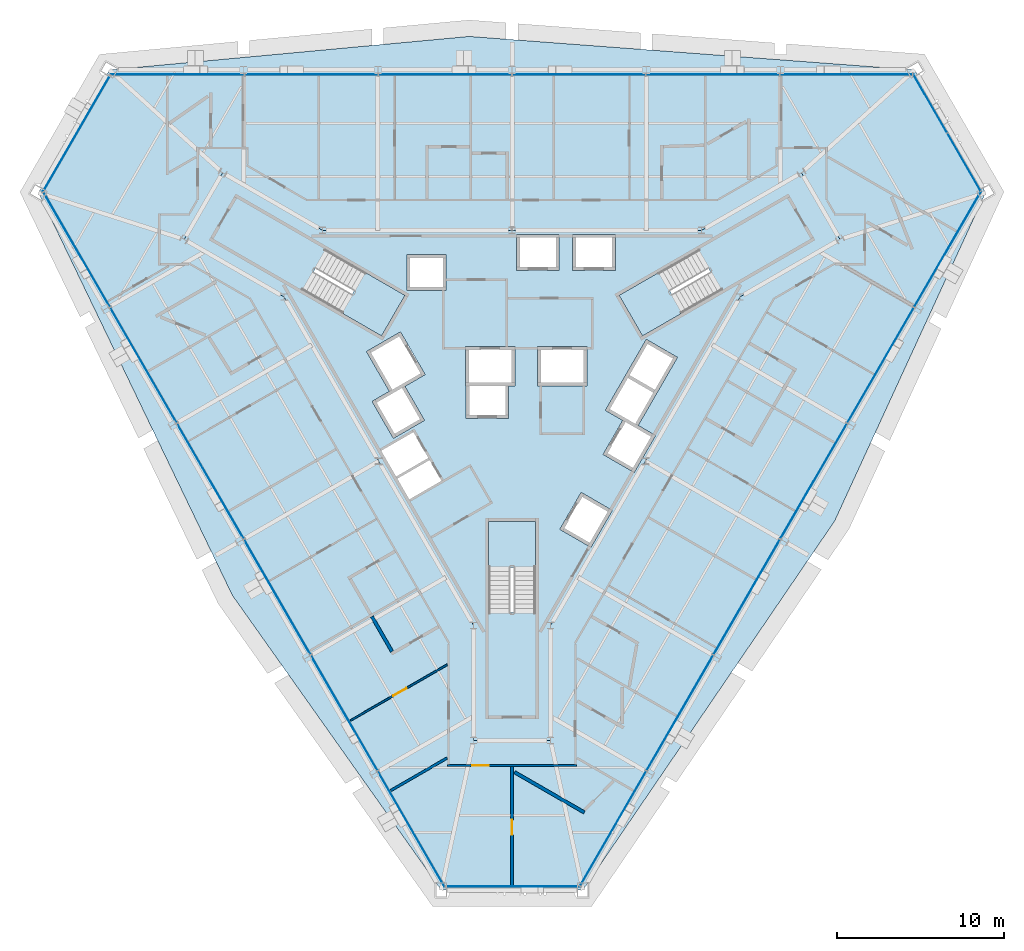
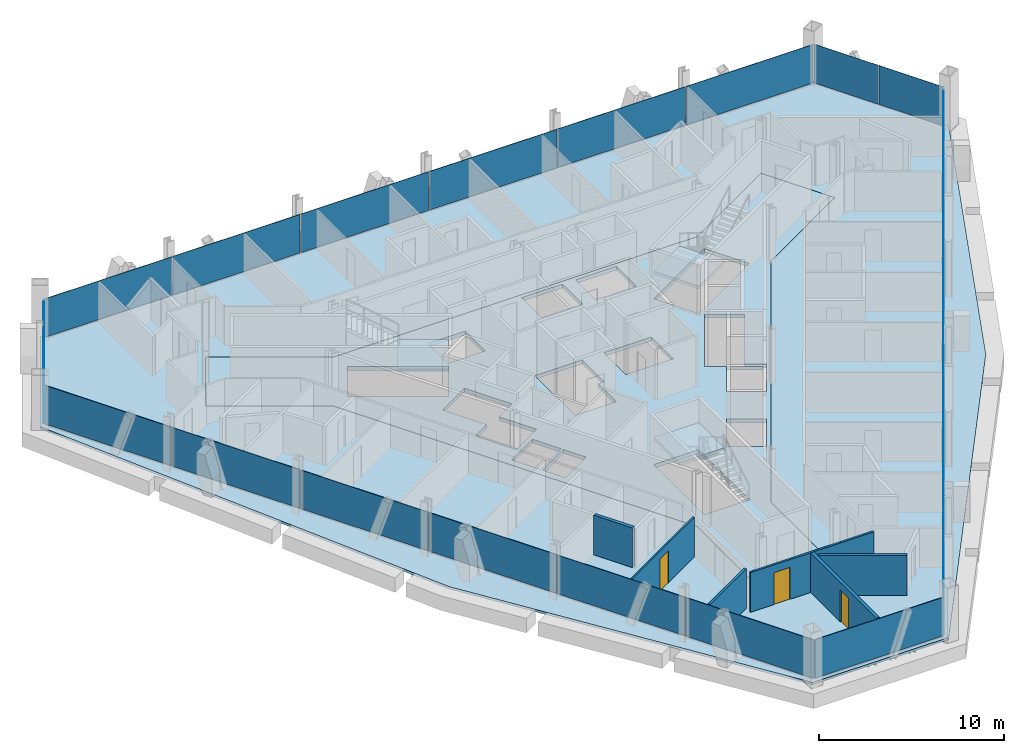
# One storey, part 9 of 16: 22 plates, 6 walls, 5 slabs, 3 doors, 3 openings, 9 elements without a shape of their own.
"""IFC4 building model written with IfcOpenShell, lengths in metres."""

from ifc_helpers import new_model, si_unit, direction, frame, frame_2d, origin, origin_2d, place, context, subcontext, project, spatial, polyline, rectangle, outline, extrude, material, layer, layer_set, type_object, element, fill, aggregate, save


model = new_model("IFC4")

# Units and contexts
model_context = context("Model", 3, precision=1e-05, world=origin(), true_north=direction((0.0, 1.0)))
body_context = subcontext(model_context, "Body", "Model", "MODEL_VIEW")
ifc_project = project(units=[si_unit("LENGTHUNIT", "METRE"), si_unit("AREAUNIT", "SQUARE_METRE"), si_unit("VOLUMEUNIT", "CUBIC_METRE"), si_unit("PLANEANGLEUNIT", "RADIAN"), si_unit("MASSUNIT", "GRAM", prefix="KILO")], contexts=[model_context])

# Site, building, storey
site_placement = place(None, origin())
site = spatial("IfcSite", under=ifc_project, at=site_placement, CompositionType="ELEMENT")
building_placement = place(site_placement, origin())
building = spatial("IfcBuilding", under=site, at=building_placement, Name="Verrane Prism Tower", CompositionType="ELEMENT")
storey_placement = place(building_placement, frame((0.0, 0.0, 107.199951171875)))
storey = spatial("IfcBuildingStorey", under=building, at=storey_placement, Name="L25", CompositionType="ELEMENT", Elevation=107.199951171875)

# Slabs
ifc_material_1 = material(Name="Concrete C35/45", Category="concrete")
ifc_layer_1 = layer(ifc_material_1, 0.159912109375)
ifc_layer_set_1 = layer_set([ifc_layer_1], Name="Composite floor slab")
slab_type_1 = type_object("IfcSlabType", Name="Composite floor slab", PredefinedType="FLOOR", material=ifc_layer_set_1)
slab_1_placement = place(storey_placement, frame((0.0, 0.0, -0.159912109375)))
element("IfcSlab", 1, at=slab_1_placement, inside=storey, type_object=slab_type_1, Name="Floor slab L25", PredefinedType="FLOOR", context=body_context, shape_type="SweptSolid", body=[
    extrude(outline(polyline([(19.288330078125, -8.171875), (4.239013671875, -30.23779296875), (-4.239013671875, -30.23779296875), (-16.72119140625, -12.6181640625), (-28.30615234375, 11.44775390625), (-24.067138671875, 18.7900390625), (-2.567138671875, 20.7900390625), (24.067138671875, 18.7900390625), (28.30615234375, 11.44775390625), (19.288330078125, -8.171875)]), holes=[polyline([(19.60009765625, 8.659912109375), (17.300048828125, 12.639892578125), (11.330078125, 9.199951171875), (0.0, 9.199951171875), (-11.330078125, 9.199951171875), (-17.300048828125, 12.639892578125), (-19.60009765625, 8.659912109375), (-13.6298828125, 5.219970703125), (-7.969970703125, -4.60009765625), (-2.300048828125, -14.419921875), (-2.300048828125, -21.300048828125), (2.300048828125, -21.300048828125), (2.300048828125, -14.419921875), (7.969970703125, -4.60009765625), (13.6298828125, 5.219970703125), (19.60009765625, 8.659912109375)])]), origin(), (0.0, 0.0, 1.0), 0.159912109375),
])
ifc_material_2 = material(Name="Concrete C40/50", Category="concrete")
ifc_layer_2 = layer(ifc_material_2, 0.25)
ifc_layer_set_2 = layer_set([ifc_layer_2], Name="Core floor slab 250 concrete C40/50")
slab_type_2 = type_object("IfcSlabType", Name="Core floor slab 250 concrete C40/50", PredefinedType="FLOOR", material=ifc_layer_set_2)
slab_2_placement = place(storey_placement, frame((0.0, 0.0, -0.25)))
element("IfcSlab", 2, at=slab_2_placement, inside=storey, type_object=slab_type_2, Name="Core floor L25", PredefinedType="FLOOR", context=body_context, shape_type="SweptSolid", body=[
    extrude(outline(polyline([(13.6298828125, 5.219970703125), (19.60009765625, 8.659912109375), (17.300048828125, 12.639892578125), (11.330078125, 9.199951171875), (0.0, 9.199951171875), (-11.330078125, 9.199951171875), (-17.300048828125, 12.639892578125), (-19.60009765625, 8.659912109375), (-13.6298828125, 5.219970703125), (-7.969970703125, -4.60009765625), (-2.300048828125, -14.419921875), (-2.300048828125, -21.300048828125), (2.300048828125, -21.300048828125), (2.300048828125, -14.419921875), (7.969970703125, -4.60009765625), (13.6298828125, 5.219970703125)]), holes=[polyline([(1.39990234375, -8.199951171875), (1.39990234375, -13.639892578125), (-1.39990234375, -13.639892578125), (-1.39990234375, -8.199951171875), (1.39990234375, -8.199951171875)]), polyline([(-4.215087890625, -5.77099609375), (-6.14208984375, -6.883056640625), (-6.85400390625, -5.64599609375), (-4.928955078125, -4.533935546875), (-4.215087890625, -5.77099609375)]), polyline([(-5.0029296875, -4.404052734375), (-6.929931640625, -5.51708984375), (-7.819091796875, -3.97705078125), (-5.89306640625, -2.864013671875), (-5.0029296875, -4.404052734375)]), polyline([(0.1650390625, 2.25), (0.1650390625, -0.10009765625), (-0.205078125, -0.10009765625), (-0.205078125, -2.050048828125), (-2.7548828125, -2.050048828125), (-2.7548828125, -0.10009765625), (-2.784912109375, -0.10009765625), (-2.784912109375, 2.25), (0.1650390625, 2.25)]), polyline([(-12.512939453125, 5.60791015625), (-11.113037109375, 8.031982421875), (-6.40087890625, 5.31201171875), (-7.801025390625, 2.887939453125), (-12.512939453125, 5.60791015625)]), polyline([(-6.284912109375, 5.610107421875), (-6.284912109375, 7.760009765625), (-3.93505859375, 7.760009765625), (-3.93505859375, 5.610107421875), (-6.284912109375, 5.610107421875)]), polyline([(4.717041015625, -9.75), (2.85498046875, -8.675048828125), (4.1298828125, -6.466064453125), (5.991943359375, -7.541015625), (4.717041015625, -9.75)]), polyline([(8.303955078125, -3.136962890625), (5.575927734375, -1.56201171875), (8.02587890625, 2.680908203125), (9.887939453125, 1.60595703125), (7.5380859375, -2.464111328125), (8.576904296875, -3.06396484375), (7.302001953125, -5.27197265625), (5.43994140625, -4.197021484375), (6.614990234375, -2.162109375), (8.303955078125, -3.136962890625)]), polyline([(1.52490234375, -0.10009765625), (1.52490234375, 2.25), (4.47509765625, 2.25), (4.47509765625, -0.10009765625), (1.52490234375, -0.10009765625)]), polyline([(6.40087890625, 5.31201171875), (11.113037109375, 8.031982421875), (12.512939453125, 5.60791015625), (7.801025390625, 2.887939453125), (6.40087890625, 5.31201171875)]), polyline([(0.264892578125, 6.81005859375), (0.264892578125, 8.9599609375), (2.81494140625, 8.9599609375), (2.81494140625, 6.81005859375), (0.264892578125, 6.81005859375)]), polyline([(3.625, 6.81005859375), (3.625, 8.9599609375), (6.175048828125, 8.9599609375), (6.175048828125, 6.81005859375), (3.625, 6.81005859375)]), polyline([(-5.23095703125, -2.159912109375), (-7.093017578125, -3.235107421875), (-8.367919921875, -1.02587890625), (-7.3291015625, -0.426025390625), (-8.7041015625, 1.955078125), (-6.66796875, 3.1298828125), (-5.193115234375, 0.574951171875), (-6.406005859375, -0.125), (-5.23095703125, -2.159912109375)])]), origin(), (0.0, 0.0, 1.0), 0.25),
])

# Curtain wall, plates
ifc_material_3 = material(Name="Aluminium framed insulated glazing", Category="aluminium")
curtain_wall_type_1 = type_object("IfcCurtainWallType", Name="Curtain wall CW-C 4200 module", PredefinedType="NOTDEFINED", material=ifc_material_3)
curtain_wall_1_placement = place(storey_placement, origin())
curtain_wall_1 = element("IfcCurtainWall", 3, at=curtain_wall_1_placement, inside=storey, type_object=curtain_wall_type_1, Name="Glazed curtain wall north-east corner L25", PredefinedType="NOTDEFINED")
ifc_material_4 = material(Name="Low-iron insulating glass unit", Category="glass")
ifc_layer_3 = layer(ifc_material_4, 0.02392578125)
ifc_layer_set_3 = layer_set([ifc_layer_3], Name="Glazing panel IGU 24")
plate_type_1 = type_object("IfcPlateType", Name="Glazing panel IGU 24", PredefinedType="CURTAIN_PANEL", material=ifc_layer_set_3)
plate_1_placement = place(storey_placement, frame((27.01318359375, 13.281494140625, 0.050048828125), z_axis=(0.0, 0.0, 1.0), x_axis=(-0.499995693021, 0.866027890405, 0.0)))
plate_1 = element("IfcPlate", 4, at=plate_1_placement, type_object=plate_type_1, Name="CW24.1 panel 1", PredefinedType="CURTAIN_PANEL", context=body_context, shape_type="SweptSolid", body=[
    extrude(rectangle(XDim=3.958984375, YDim=0.02392578125, at=origin_2d()), origin(), (0.0, 0.0, 1.0), 2.56298828125),
])
plate_2_placement = place(storey_placement, frame((24.996337890625, 16.775146484375, 0.050048828125), z_axis=(0.0, 0.0, 1.0), x_axis=(-0.499995693021, 0.866027890405, 0.0)))
plate_2 = element("IfcPlate", 5, at=plate_2_placement, type_object=plate_type_1, Name="CW24.1 panel 2", PredefinedType="CURTAIN_PANEL", context=body_context, shape_type="SweptSolid", body=[
    extrude(rectangle(XDim=4.009033203125, YDim=0.02392578125, at=origin_2d()), origin(), (0.0, 0.0, 1.0), 2.56298828125),
])
aggregate(curtain_wall_1, [plate_1, plate_2])

ifc_material_5 = material(Name="Aluminium framed insulated glazing", Category="aluminium")
curtain_wall_type_2 = type_object("IfcCurtainWallType", Name="Curtain wall CW-A 8400 module", PredefinedType="NOTDEFINED", material=ifc_material_5)
curtain_wall_2_placement = place(storey_placement, origin())
curtain_wall_2 = element("IfcCurtainWall", 6, at=curtain_wall_2_placement, inside=storey, type_object=curtain_wall_type_2, Name="Glazed curtain wall north face L25", PredefinedType="NOTDEFINED")
ifc_material_6 = material(Name="Low-iron insulating glass unit", Category="glass")
ifc_layer_4 = layer(ifc_material_6, 0.031982421875)
ifc_layer_set_4 = layer_set([ifc_layer_4], Name="Glazing panel IGU 32")
plate_type_2 = type_object("IfcPlateType", Name="Glazing panel IGU 32", PredefinedType="CURTAIN_PANEL", material=ifc_layer_set_4)
plate_3_placement = place(storey_placement, frame((19.9775390625, 18.510986328125, 0.070068359375), z_axis=(0.0, 0.0, 1.0), x_axis=(-1.0, 0.0, 0.0)))
plate_3 = element("IfcPlate", 7, at=plate_3_placement, type_object=plate_type_2, Name="CW24.2 panel 1", PredefinedType="CURTAIN_PANEL", context=body_context, shape_type="SweptSolid", body=[
    extrude(rectangle(XDim=7.89306640625, YDim=0.031982421875, at=origin_2d()), origin(), (0.0, 0.0, 1.0), 2.54296875),
])
plate_4_placement = place(storey_placement, frame((11.9970703125, 18.510986328125, 0.070068359375), z_axis=(0.0, 0.0, 1.0), x_axis=(-1.0, 0.0, 0.0)))
plate_4 = element("IfcPlate", 8, at=plate_4_placement, type_object=plate_type_2, Name="CW24.2 panel 2", PredefinedType="CURTAIN_PANEL", context=body_context, shape_type="SweptSolid", body=[
    extrude(rectangle(XDim=7.927978515625, YDim=0.031982421875, at=origin_2d()), origin(), (0.0, 0.0, 1.0), 2.54296875),
])
plate_5_placement = place(storey_placement, frame((3.9990234375, 18.510986328125, 0.070068359375), z_axis=(0.0, 0.0, 1.0), x_axis=(-1.0, 0.0, 0.0)))
plate_5 = element("IfcPlate", 9, at=plate_5_placement, type_object=plate_type_2, Name="CW24.2 panel 3", PredefinedType="CURTAIN_PANEL", context=body_context, shape_type="SweptSolid", body=[
    extrude(rectangle(XDim=7.927978515625, YDim=0.031982421875, at=origin_2d()), origin(), (0.0, 0.0, 1.0), 2.54296875),
])
plate_6_placement = place(storey_placement, frame((-3.9990234375, 18.510986328125, 0.070068359375), z_axis=(0.0, 0.0, 1.0), x_axis=(-1.0, 0.0, 0.0)))
plate_6 = element("IfcPlate", 10, at=plate_6_placement, type_object=plate_type_2, Name="CW24.2 panel 4", PredefinedType="CURTAIN_PANEL", context=body_context, shape_type="SweptSolid", body=[
    extrude(rectangle(XDim=7.927978515625, YDim=0.031982421875, at=origin_2d()), origin(), (0.0, 0.0, 1.0), 2.54296875),
])
plate_7_placement = place(storey_placement, frame((-11.9970703125, 18.510986328125, 0.070068359375), z_axis=(0.0, 0.0, 1.0), x_axis=(-1.0, 0.0, 0.0)))
plate_7 = element("IfcPlate", 11, at=plate_7_placement, type_object=plate_type_2, Name="CW24.2 panel 5", PredefinedType="CURTAIN_PANEL", context=body_context, shape_type="SweptSolid", body=[
    extrude(rectangle(XDim=7.927978515625, YDim=0.031982421875, at=origin_2d()), origin(), (0.0, 0.0, 1.0), 2.54296875),
])
plate_8_placement = place(storey_placement, frame((-20.0126953125, 18.510986328125, 0.070068359375), z_axis=(0.0, 0.0, 1.0), x_axis=(-1.0, 0.0, 0.0)))
plate_8 = element("IfcPlate", 12, at=plate_8_placement, type_object=plate_type_2, Name="CW24.2 panel 6", PredefinedType="CURTAIN_PANEL", context=body_context, shape_type="SweptSolid", body=[
    extrude(rectangle(XDim=7.963134765625, YDim=0.031982421875, at=origin_2d()), origin(), (0.0, 0.0, 1.0), 2.54296875),
])
aggregate(curtain_wall_2, [plate_3, plate_4, plate_5, plate_6, plate_7, plate_8])

# Curtain wall, plate
curtain_wall_3_placement = place(storey_placement, origin())
curtain_wall_3 = element("IfcCurtainWall", 13, at=curtain_wall_3_placement, inside=storey, type_object=curtain_wall_type_2, Name="Glazed curtain wall north-west corner L25", PredefinedType="NOTDEFINED")
plate_9_placement = place(storey_placement, frame((-26.028564453125, 14.9873046875, 0.070068359375), z_axis=(0.0, 0.0, 1.0), x_axis=(-0.499995693021, -0.866027890405, 0.0)))
plate_9 = element("IfcPlate", 14, at=plate_9_placement, type_object=plate_type_2, Name="CW24.3 panel 1", PredefinedType="CURTAIN_PANEL", context=body_context, shape_type="SweptSolid", body=[
    extrude(rectangle(XDim=7.997802734375, YDim=0.031982421875, at=origin_2d()), origin(), (0.0, 0.0, 1.0), 2.54296875),
])
aggregate(curtain_wall_3, [plate_9])

# Curtain wall, plates
curtain_wall_4_placement = place(storey_placement, origin())
curtain_wall_4 = element("IfcCurtainWall", 15, at=curtain_wall_4_placement, inside=storey, type_object=curtain_wall_type_2, Name="Glazed curtain wall south-west face L25", PredefinedType="NOTDEFINED")
plate_10_placement = place(storey_placement, frame((-26.019775390625, 8.045654296875, 0.070068359375), z_axis=(0.0, 0.0, 1.0), x_axis=(0.500000002539, -0.866025402318, 0.0)))
plate_10 = element("IfcPlate", 16, at=plate_10_placement, type_object=plate_type_2, Name="CW24.4 panel 1", PredefinedType="CURTAIN_PANEL", context=body_context, shape_type="SweptSolid", body=[
    extrude(rectangle(XDim=7.89306640625, YDim=0.031982421875, at=origin_2d()), origin(), (0.0, 0.0, 1.0), 2.54296875),
])
plate_11_placement = place(storey_placement, frame((-22.029541015625, 1.13427734375, 0.070068359375), z_axis=(0.0, 0.0, 1.0), x_axis=(0.500000002539, -0.866025402318, 0.0)))
plate_11 = element("IfcPlate", 17, at=plate_11_placement, type_object=plate_type_2, Name="CW24.4 panel 2", PredefinedType="CURTAIN_PANEL", context=body_context, shape_type="SweptSolid", body=[
    extrude(rectangle(XDim=7.927978515625, YDim=0.031982421875, at=origin_2d()), origin(), (0.0, 0.0, 1.0), 2.54296875),
])
plate_12_placement = place(storey_placement, frame((-18.030517578125, -5.792236328125, 0.070068359375), z_axis=(0.0, 0.0, 1.0), x_axis=(0.500000002539, -0.866025402318, 0.0)))
plate_12 = element("IfcPlate", 18, at=plate_12_placement, type_object=plate_type_2, Name="CW24.4 panel 3", PredefinedType="CURTAIN_PANEL", context=body_context, shape_type="SweptSolid", body=[
    extrude(rectangle(XDim=7.927978515625, YDim=0.031982421875, at=origin_2d()), origin(), (0.0, 0.0, 1.0), 2.54296875),
])
plate_13_placement = place(storey_placement, frame((-14.031494140625, -12.71875, 0.070068359375), z_axis=(0.0, 0.0, 1.0), x_axis=(0.500000002539, -0.866025402318, 0.0)))
plate_13 = element("IfcPlate", 19, at=plate_13_placement, type_object=plate_type_2, Name="CW24.4 panel 4", PredefinedType="CURTAIN_PANEL", context=body_context, shape_type="SweptSolid", body=[
    extrude(rectangle(XDim=7.927978515625, YDim=0.031982421875, at=origin_2d()), origin(), (0.0, 0.0, 1.0), 2.54296875),
])
plate_14_placement = place(storey_placement, frame((-10.032470703125, -19.645263671875, 0.070068359375), z_axis=(0.0, 0.0, 1.0), x_axis=(0.500000002539, -0.866025402318, 0.0)))
plate_14 = element("IfcPlate", 20, at=plate_14_placement, type_object=plate_type_2, Name="CW24.4 panel 5", PredefinedType="CURTAIN_PANEL", context=body_context, shape_type="SweptSolid", body=[
    extrude(rectangle(XDim=7.927978515625, YDim=0.031982421875, at=origin_2d()), origin(), (0.0, 0.0, 1.0), 2.54296875),
])
plate_15_placement = place(storey_placement, frame((-6.024658203125, -26.5869140625, 0.070068359375), z_axis=(0.0, 0.0, 1.0), x_axis=(0.500000002539, -0.866025402318, 0.0)))
plate_15 = element("IfcPlate", 21, at=plate_15_placement, type_object=plate_type_2, Name="CW24.4 panel 6", PredefinedType="CURTAIN_PANEL", context=body_context, shape_type="SweptSolid", body=[
    extrude(rectangle(XDim=7.963134765625, YDim=0.031982421875, at=origin_2d()), origin(), (0.0, 0.0, 1.0), 2.54296875),
])
aggregate(curtain_wall_4, [plate_10, plate_11, plate_12, plate_13, plate_14, plate_15])

# Curtain wall, plate
curtain_wall_5_placement = place(storey_placement, origin())
curtain_wall_5 = element("IfcCurtainWall", 22, at=curtain_wall_5_placement, inside=storey, type_object=curtain_wall_type_2, Name="Glazed curtain wall south corner L25", PredefinedType="NOTDEFINED")
plate_16_placement = place(storey_placement, frame((0.034912109375, -30.034912109375, 0.070068359375), z_axis=(0.0, 0.0, 1.0), x_axis=(1.0, 0.0, 0.0)))
plate_16 = element("IfcPlate", 23, at=plate_16_placement, type_object=plate_type_2, Name="CW24.5 panel 1", PredefinedType="CURTAIN_PANEL", context=body_context, shape_type="SweptSolid", body=[
    extrude(rectangle(XDim=7.997802734375, YDim=0.031982421875, at=origin_2d()), origin(), (0.0, 0.0, 1.0), 2.54296875),
])
aggregate(curtain_wall_5, [plate_16])

# Curtain wall, plates
curtain_wall_6_placement = place(storey_placement, origin())
curtain_wall_6 = element("IfcCurtainWall", 24, at=curtain_wall_6_placement, inside=storey, type_object=curtain_wall_type_2, Name="Glazed curtain wall south-east face L25", PredefinedType="NOTDEFINED")
plate_17_placement = place(storey_placement, frame((6.042236328125, -26.556640625, 0.070068359375), z_axis=(0.0, 0.0, 1.0), x_axis=(0.500000002539, 0.866025402318, 0.0)))
plate_17 = element("IfcPlate", 25, at=plate_17_placement, type_object=plate_type_2, Name="CW24.6 panel 1", PredefinedType="CURTAIN_PANEL", context=body_context, shape_type="SweptSolid", body=[
    extrude(rectangle(XDim=7.89306640625, YDim=0.031982421875, at=origin_2d()), origin(), (0.0, 0.0, 1.0), 2.54296875),
])
plate_18_placement = place(storey_placement, frame((10.032470703125, -19.645263671875, 0.070068359375), z_axis=(0.0, 0.0, 1.0), x_axis=(0.500000002539, 0.866025402318, 0.0)))
plate_18 = element("IfcPlate", 26, at=plate_18_placement, type_object=plate_type_2, Name="CW24.6 panel 2", PredefinedType="CURTAIN_PANEL", context=body_context, shape_type="SweptSolid", body=[
    extrude(rectangle(XDim=7.927978515625, YDim=0.031982421875, at=origin_2d()), origin(), (0.0, 0.0, 1.0), 2.54296875),
])
plate_19_placement = place(storey_placement, frame((14.031494140625, -12.71875, 0.070068359375), z_axis=(0.0, 0.0, 1.0), x_axis=(0.500000002539, 0.866025402318, 0.0)))
plate_19 = element("IfcPlate", 27, at=plate_19_placement, type_object=plate_type_2, Name="CW24.6 panel 3", PredefinedType="CURTAIN_PANEL", context=body_context, shape_type="SweptSolid", body=[
    extrude(rectangle(XDim=7.927978515625, YDim=0.031982421875, at=origin_2d()), origin(), (0.0, 0.0, 1.0), 2.54296875),
])
plate_20_placement = place(storey_placement, frame((18.030517578125, -5.792236328125, 0.070068359375), z_axis=(0.0, 0.0, 1.0), x_axis=(0.500000002539, 0.866025402318, 0.0)))
plate_20 = element("IfcPlate", 28, at=plate_20_placement, type_object=plate_type_2, Name="CW24.6 panel 4", PredefinedType="CURTAIN_PANEL", context=body_context, shape_type="SweptSolid", body=[
    extrude(rectangle(XDim=7.927978515625, YDim=0.031982421875, at=origin_2d()), origin(), (0.0, 0.0, 1.0), 2.54296875),
])
plate_21_placement = place(storey_placement, frame((22.029541015625, 1.13427734375, 0.070068359375), z_axis=(0.0, 0.0, 1.0), x_axis=(0.500000002539, 0.866025402318, 0.0)))
plate_21 = element("IfcPlate", 29, at=plate_21_placement, type_object=plate_type_2, Name="CW24.6 panel 5", PredefinedType="CURTAIN_PANEL", context=body_context, shape_type="SweptSolid", body=[
    extrude(rectangle(XDim=7.927978515625, YDim=0.031982421875, at=origin_2d()), origin(), (0.0, 0.0, 1.0), 2.54296875),
])
plate_22_placement = place(storey_placement, frame((26.037353515625, 8.075927734375, 0.070068359375), z_axis=(0.0, 0.0, 1.0), x_axis=(0.500000002539, 0.866025402318, 0.0)))
plate_22 = element("IfcPlate", 30, at=plate_22_placement, type_object=plate_type_2, Name="CW24.6 panel 6", PredefinedType="CURTAIN_PANEL", context=body_context, shape_type="SweptSolid", body=[
    extrude(rectangle(XDim=7.963134765625, YDim=0.031982421875, at=origin_2d()), origin(), (0.0, 0.0, 1.0), 2.54296875),
])
aggregate(curtain_wall_6, [plate_17, plate_18, plate_19, plate_20, plate_21, plate_22])

# Stair, slab
ifc_material_7 = material(Name="Concrete C40/50", Category="concrete")
stair_type = type_object("IfcStairType", Name="Exit stair 1300 dog-leg precast concrete C40/50", PredefinedType="HALF_TURN_STAIR", material=ifc_material_7)
stair_1_placement = place(storey_placement, origin())
stair_1 = element("IfcStair", 31, at=stair_1_placement, inside=storey, type_object=stair_type, Name="Stair 1 L25", PredefinedType="HALF_TURN_STAIR")
ifc_material_8 = material(Name="Concrete C40/50", Category="concrete")
ifc_layer_5 = layer(ifc_material_8, 0.199951171875)
ifc_layer_set_5 = layer_set([ifc_layer_5], Name="Stair landing 200 precast concrete C40/50")
slab_type_3 = type_object("IfcSlabType", Name="Stair landing 200 precast concrete C40/50", PredefinedType="LANDING", material=ifc_layer_set_5)
slab_3_placement = place(storey_placement, frame((0.0, 0.0, 1.60009765625)))
slab_3 = element("IfcSlab", 32, at=slab_3_placement, type_object=slab_type_3, Name="Stair 1 landing 1", PredefinedType="LANDING", context=body_context, shape_type="SweptSolid", body=[
    extrude(outline(polyline([(8.791748046875, 6.6923828125), (6.4013671875, 5.3125), (7.801513671875, 2.887451171875), (10.191650390625, 4.267578125), (8.791748046875, 6.6923828125)])), origin(), (0.0, 0.0, 1.0), 0.199951171875),
])
aggregate(stair_1, [slab_3])

stair_2_placement = place(storey_placement, origin())
stair_2 = element("IfcStair", 33, at=stair_2_placement, inside=storey, type_object=stair_type, Name="Stair 2 L25", PredefinedType="HALF_TURN_STAIR")
slab_4_placement = place(storey_placement, frame((0.0, 0.0, 1.60009765625)))
slab_4 = element("IfcSlab", 34, at=slab_4_placement, type_object=slab_type_3, Name="Stair 2 landing 1", PredefinedType="LANDING", context=body_context, shape_type="SweptSolid", body=[
    extrude(outline(polyline([(-10.191650390625, 4.267578125), (-7.801513671875, 2.887451171875), (-6.4013671875, 5.3125), (-8.791748046875, 6.6923828125), (-10.191650390625, 4.267578125)])), origin(), (0.0, 0.0, 1.0), 0.199951171875),
])
aggregate(stair_2, [slab_4])

stair_3_placement = place(storey_placement, origin())
stair_3 = element("IfcStair", 35, at=stair_3_placement, inside=storey, type_object=stair_type, Name="Stair 3 L25", PredefinedType="HALF_TURN_STAIR")
slab_5_placement = place(storey_placement, frame((0.0, 0.0, 1.60009765625)))
slab_5 = element("IfcSlab", 36, at=slab_5_placement, type_object=slab_type_3, Name="Stair 3 landing 1", PredefinedType="LANDING", context=body_context, shape_type="SweptSolid", body=[
    extrude(outline(polyline([(1.39990234375, -10.9599609375), (1.39990234375, -8.199951171875), (-1.39990234375, -8.199951171875), (-1.39990234375, -10.9599609375), (1.39990234375, -10.9599609375)])), origin(), (0.0, 0.0, 1.0), 0.199951171875),
])
aggregate(stair_3, [slab_5])

# Wall, opening, door
ifc_material_9 = material(Name="Gypsum board partition", Category="other")
ifc_layer_6 = layer(ifc_material_9, 0.10009765625)
ifc_layer_set_6 = layer_set([ifc_layer_6], Name="PW-100 room partition")
wall_type_1 = type_object("IfcWallType", Name="PW-100 room partition", PredefinedType="PARTITIONING", material=ifc_layer_set_6)
wall_1_placement = place(storey_placement, frame((-9.6572265625, -20.102783203125, 0.0), z_axis=(0.0, 0.0, 1.0), x_axis=(0.865979781901, 0.500079011097, 0.0)))
wall_1 = element("IfcWall", 37, at=wall_1_placement, inside=storey, type_object=wall_type_1, Name="Room partition 030", PredefinedType="PARTITIONING", context=body_context, shape_type="SweptSolid", body=[
    extrude(rectangle(XDim=6.677734375, YDim=0.10009765625, at=frame_2d((3.3388671875, 0.0))), origin(), (0.0, 0.0, 1.0), 2.613037109375),
])
opening_1_placement = place(wall_1_placement, frame((2.953369140625, 0.0, 0.0)))
opening_1 = element("IfcOpeningElement", 38, at=opening_1_placement, cuts=wall_1, Name="Opening D24038", PredefinedType="OPENING", context=body_context, shape_type="SweptSolid", body=[
    extrude(rectangle(XDim=0.89990234375, YDim=2.10009765625, at=frame_2d((0.449951171875, 1.050048828125))), frame((0.0, 0.06005859375, 0.0), z_axis=(0.0, -1.0, 0.0), x_axis=(1.0, 0.0, 0.0)), (0.0, 0.0, 1.0), 0.1201171875),
])
ifc_material_10 = material(Name="Timber veneered door leaf", Category="wood")
door_type_1 = type_object("IfcDoorType", Name="DR-900x2100 single leaf inner", OperationType="NOTDEFINED", PredefinedType="DOOR", material=ifc_material_10)
door_1_placement = place(opening_1_placement, origin())
door_1 = element("IfcDoor", 39, at=door_1_placement, inside=storey, type_object=door_type_1, Name="Suite Living Room door", OperationType="SINGLE_SWING_RIGHT", OverallHeight=2.10009765625, OverallWidth=0.89990234375, PredefinedType="DOOR", context=body_context, shape_type="SweptSolid", body=[
    extrude(rectangle(XDim=0.89990234375, YDim=2.10009765625, at=frame_2d((0.449951171875, 1.050048828125))), frame((0.0, 0.02490234375, 0.0), z_axis=(0.0, -1.0, 0.0), x_axis=(1.0, 0.0, 0.0)), (0.0, 0.0, 1.0), 0.050048828125),
])
fill(opening_1, door_1)

ifc_material_11 = material(Name="Gypsum board partition", Category="other")
ifc_layer_7 = layer(ifc_material_11, 0.125)
ifc_layer_set_7 = layer_set([ifc_layer_7], Name="PW-125 corridor wall 1 h")
wall_type_2 = type_object("IfcWallType", Name="PW-125 corridor wall 1 h", PredefinedType="PARTITIONING", material=ifc_layer_set_7)
wall_2_placement = place(storey_placement, frame((3.849609375, -22.787109375, 0.0), z_axis=(0.0, 0.0, 1.0), x_axis=(-1.0, 0.0, 0.0)))
wall_2 = element("IfcWall", 40, at=wall_2_placement, inside=storey, type_object=wall_type_2, Name="Corridor wall 038", PredefinedType="PARTITIONING", context=body_context, shape_type="SweptSolid", body=[
    extrude(rectangle(XDim=7.69921875, YDim=0.125, at=frame_2d((3.849609375, 0.0))), origin(), (0.0, 0.0, 1.0), 2.613037109375),
])
opening_2_placement = place(wall_2_placement, frame((5.236572265625, 0.0, 0.0)))
opening_2 = element("IfcOpeningElement", 41, at=opening_2_placement, cuts=wall_2, Name="Opening D24040", PredefinedType="OPENING", context=body_context, shape_type="SweptSolid", body=[
    extrude(rectangle(XDim=1.0, YDim=2.10009765625, at=frame_2d((0.5, 1.050048828125))), frame((0.0, 0.072509765625, 0.0), z_axis=(0.0, -1.0, 0.0), x_axis=(1.0, 0.0, 0.0)), (0.0, 0.0, 1.0), 0.14501953125),
])
ifc_material_12 = material(Name="Timber veneered door leaf", Category="wood")
door_type_2 = type_object("IfcDoorType", Name="DR-1000x2100 FD20 single leaf unit", OperationType="NOTDEFINED", PredefinedType="DOOR", material=ifc_material_12)
door_2_placement = place(opening_2_placement, origin())
door_2 = element("IfcDoor", 42, at=door_2_placement, inside=storey, type_object=door_type_2, Name="Suite Living Room door", OperationType="SINGLE_SWING_LEFT", OverallHeight=2.10009765625, OverallWidth=1.0, PredefinedType="DOOR", context=body_context, shape_type="SweptSolid", body=[
    extrude(rectangle(XDim=1.0, YDim=2.10009765625, at=frame_2d((0.5, 1.050048828125))), frame((0.0, 0.02490234375, 0.0), z_axis=(0.0, -1.0, 0.0), x_axis=(1.0, 0.0, 0.0)), (0.0, 0.0, 1.0), 0.050048828125),
])
fill(opening_2, door_2)

# Walls
ifc_material_13 = material(Name="Gypsum board partition", Category="other")
ifc_layer_8 = layer(ifc_material_13, 0.14990234375)
ifc_layer_set_8 = layer_set([ifc_layer_8], Name="PW-150 demising wall 1 h")
wall_type_3 = type_object("IfcWallType", Name="PW-150 demising wall 1 h", PredefinedType="PARTITIONING", material=ifc_layer_set_8)
wall_3_placement = place(storey_placement, frame((-7.24365234375, -24.282958984375, 0.0), z_axis=(0.0, 0.0, 1.0), x_axis=(0.865997824551, 0.500047765591, 0.0)))
element("IfcWall", 43, at=wall_3_placement, inside=storey, type_object=wall_type_3, Name="Demising wall 032", PredefinedType="PARTITIONING", context=body_context, shape_type="SweptSolid", body=[
    extrude(rectangle(XDim=3.8759765625, YDim=0.14990234375, at=frame_2d((1.93798828125, 0.0))), origin(), (0.0, 0.0, 1.0), 2.613037109375),
])
ifc_material_14 = material(Name="Gypsum board partition", Category="other")
ifc_layer_9 = layer(ifc_material_14, 0.199951171875)
ifc_layer_set_9 = layer_set([ifc_layer_9], Name="PW-200 plumbing wall")
wall_type_4 = type_object("IfcWallType", Name="PW-200 plumbing wall", PredefinedType="PARTITIONING", material=ifc_layer_set_9)
wall_4_placement = place(storey_placement, frame((-8.380615234375, -13.884033203125, 0.0), z_axis=(0.0, 0.0, 1.0), x_axis=(0.499795219151, -0.866143601786, 0.0)))
element("IfcWall", 44, at=wall_4_placement, inside=storey, type_object=wall_type_4, Name="Plumbing wall 031", PredefinedType="PARTITIONING", context=body_context, shape_type="SweptSolid", body=[
    extrude(rectangle(XDim=2.42041015625, YDim=0.199951171875, at=frame_2d((1.210205078125, 0.0))), origin(), (0.0, 0.0, 1.0), 2.613037109375),
])

# Wall, opening, door
wall_5_placement = place(storey_placement, frame((0.0, -22.849609375, 0.0), z_axis=(0.0, 0.0, 1.0), x_axis=(0.0, -1.0, 0.0)))
wall_5 = element("IfcWall", 45, at=wall_5_placement, inside=storey, type_object=wall_type_4, Name="Plumbing wall 042", PredefinedType="PARTITIONING", context=body_context, shape_type="SweptSolid", body=[
    extrude(rectangle(XDim=7.08935546875, YDim=0.199951171875, at=frame_2d((3.544677734375, 0.0))), origin(), (0.0, 0.0, 1.0), 2.613037109375),
])
opening_3_placement = place(wall_5_placement, frame((3.185546875, 0.0, 0.0)))
opening_3 = element("IfcOpeningElement", 46, at=opening_3_placement, cuts=wall_5, Name="Opening D24041", PredefinedType="OPENING", context=body_context, shape_type="SweptSolid", body=[
    extrude(rectangle(XDim=0.89990234375, YDim=2.10009765625, at=frame_2d((0.449951171875, 1.050048828125))), frame((0.0, 0.10986328125, 0.0), z_axis=(0.0, -1.0, 0.0), x_axis=(1.0, 0.0, 0.0)), (0.0, 0.0, 1.0), 0.219970703125),
])
door_3_placement = place(opening_3_placement, origin())
door_3 = element("IfcDoor", 47, at=door_3_placement, inside=storey, type_object=door_type_1, Name="Suite Living Room door", OperationType="SINGLE_SWING_RIGHT", OverallHeight=2.10009765625, OverallWidth=0.89990234375, PredefinedType="DOOR", context=body_context, shape_type="SweptSolid", body=[
    extrude(rectangle(XDim=0.89990234375, YDim=2.10009765625, at=frame_2d((0.449951171875, 1.050048828125))), frame((0.0, 0.02490234375, 0.0), z_axis=(0.0, -1.0, 0.0), x_axis=(1.0, 0.0, 0.0)), (0.0, 0.0, 1.0), 0.050048828125),
])
fill(opening_3, door_3)

# Wall
wall_6_placement = place(storey_placement, frame((0.14990234375, -23.189697265625, 0.0), z_axis=(0.0, 0.0, 1.0), x_axis=(0.866061372545, -0.499937695103, 0.0)))
element("IfcWall", 48, at=wall_6_placement, inside=storey, type_object=wall_type_4, Name="Plumbing wall 043", PredefinedType="PARTITIONING", context=body_context, shape_type="SweptSolid", body=[
    extrude(rectangle(XDim=4.81103515625, YDim=0.199951171875, at=frame_2d((2.405517578125, 0.0))), origin(), (0.0, 0.0, 1.0), 2.613037109375),
])

save(model, "model.ifc")
